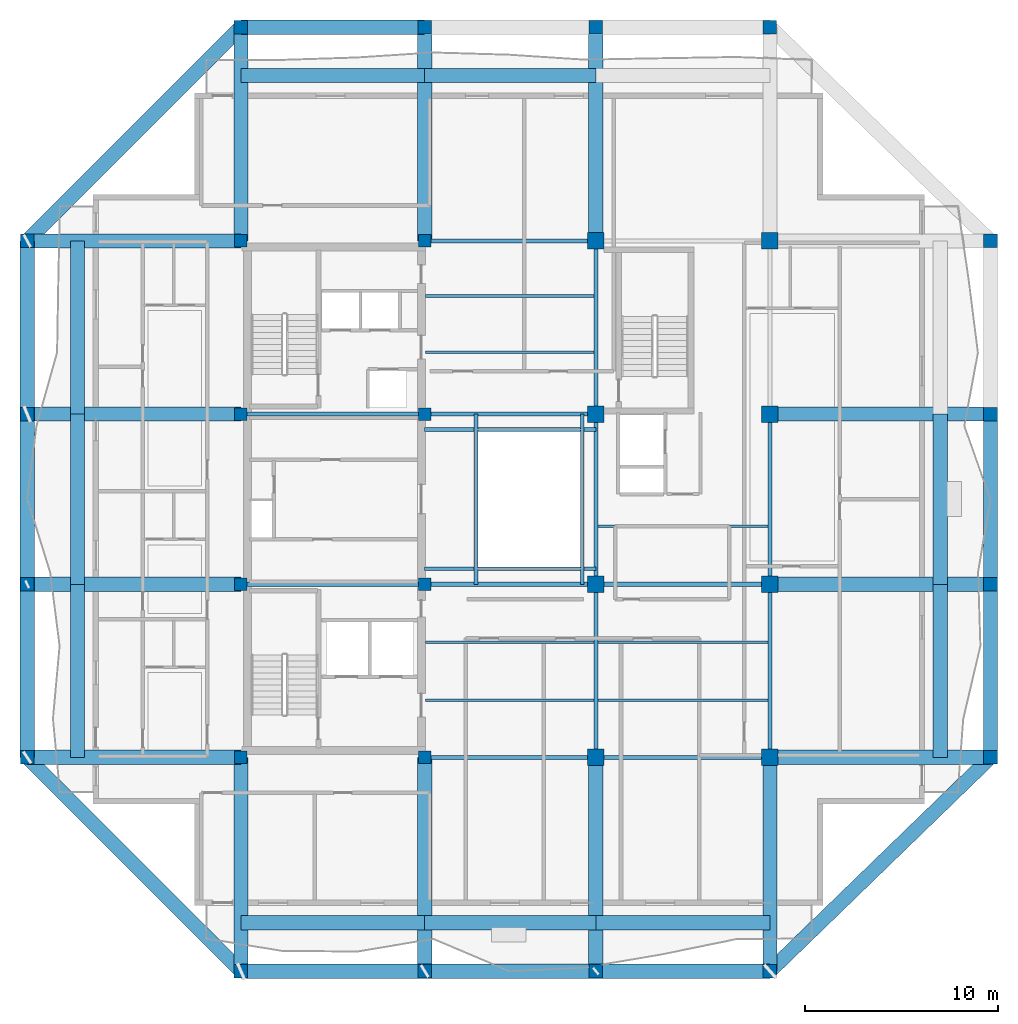
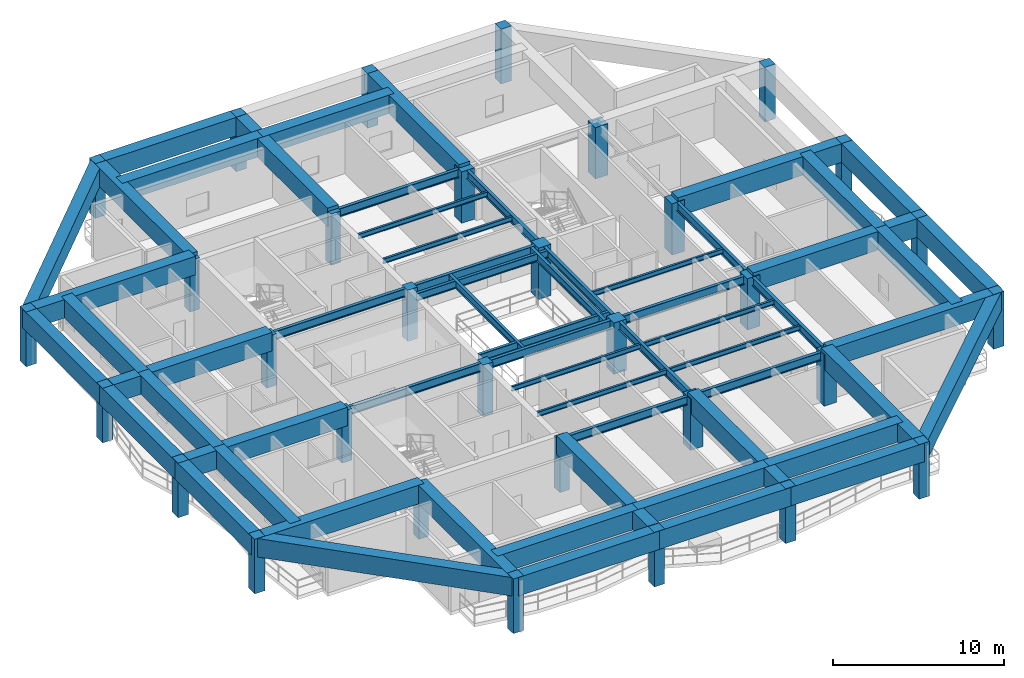
# One storey, part 1 of 11: 60 beams, 32 columns.
"""IFC4 building model written with IfcOpenShell, lengths in metres."""

import ifcopenshell
import ifcopenshell.guid

model = None  # the IFC model being written
_history = None  # IfcOwnerHistory: only IFC2X3 demands one
_inside = {}  # id of a spatial element -> (the spatial element, [elements in it])
_under = {}  # id of a project, library or spatial element -> (it, [spatial elements below it])
_declared = {}  # id of a project -> (the project, [libraries it declares])
_typed = {}  # id of a type object -> (the type object, [elements of that type])
_made_of = {}  # id of a material, layer set ... -> (it, [elements and type objects made of it])


def new_model(schema):
    """Start an empty IFC model of exactly this schema.

    Asked for "IFC4X3", IfcOpenShell would pick the latest addendum, in which some entities
    have other attributes; the version numbers below select the first issue.
    IFC2X3 requires an IfcOwnerHistory on every rooted entity: one is made here for all.
    """
    global model, _history
    if schema == "IFC4X3":
        model = ifcopenshell.file(schema_version=(4, 3, 0, 0))
    else:
        model = ifcopenshell.file(schema=schema)
    _inside.clear()
    _under.clear()
    _declared.clear()
    _typed.clear()
    _made_of.clear()
    _history = None
    if model.schema == "IFC2X3":
        org = make("IfcOrganization", Name="unknown")
        user = make(
            "IfcPersonAndOrganization",
            ThePerson=make("IfcPerson", FamilyName="unknown"),
            TheOrganization=org,
        )
        app = make(
            "IfcApplication",
            ApplicationDeveloper=org,
            Version="unknown",
            ApplicationFullName="unknown",
            ApplicationIdentifier="unknown",
        )
        _history = make(
            "IfcOwnerHistory",
            OwningUser=user,
            OwningApplication=app,
            ChangeAction="ADDED",
            CreationDate=0,
        )
    return model


def make(cls, **values):
    """One entity of the class cls with the attributes given. An attribute that is None is left unset."""
    return model.create_entity(
        cls, **{name: value for name, value in values.items() if value is not None}
    )


def rooted(cls, **values):
    """An entity with a GlobalId (a new one), such as an element, a storey or a relation."""
    return make(cls, GlobalId=ifcopenshell.guid.new(), OwnerHistory=_history, **values)


def si_unit(unit_type, name, prefix=None):
    """IfcSIUnit, for example si_unit("LENGTHUNIT", "METRE", prefix="MILLI")."""
    return make("IfcSIUnit", UnitType=unit_type, Prefix=prefix, Name=name)


def assignment(units):
    """IfcUnitAssignment: the units of a project."""
    return None if units is None else make("IfcUnitAssignment", Units=units)


def point(xyz):
    """IfcCartesianPoint."""
    return None if xyz is None else make("IfcCartesianPoint", Coordinates=xyz)


def direction(xyz):
    """IfcDirection."""
    return None if xyz is None else make("IfcDirection", DirectionRatios=xyz)


def frame(location, z_axis=None, x_axis=None):
    """IfcAxis2Placement3D, a coordinate frame: its origin and axes. An axis left out is left unset."""
    return make(
        "IfcAxis2Placement3D",
        Location=point(location),
        Axis=direction(z_axis),
        RefDirection=direction(x_axis),
    )


def frame_2d(location, x_axis=None):
    """IfcAxis2Placement2D, a coordinate frame in the plane: its origin and x axis."""
    return make(
        "IfcAxis2Placement2D", Location=point(location), RefDirection=direction(x_axis)
    )


def origin():
    """The frame at (0, 0, 0) with its axes left unset."""
    return frame((0.0, 0.0, 0.0))


def origin_2d():
    """The frame at (0, 0) in the plane with its x axis left unset."""
    return frame_2d((0.0, 0.0))


def place(relative_to, where):
    """IfcLocalPlacement: puts the frame where relative to a parent placement (None: the world)."""
    return make(
        "IfcLocalPlacement", PlacementRelTo=relative_to, RelativePlacement=where
    )


def context(
    kind, dimensions, precision=None, world=None, true_north=None, identifier=None
):
    """IfcGeometricRepresentationContext, for example the 3D "Model" context."""
    return make(
        "IfcGeometricRepresentationContext",
        ContextIdentifier=identifier,
        ContextType=kind,
        CoordinateSpaceDimension=dimensions,
        Precision=precision,
        WorldCoordinateSystem=world,
        TrueNorth=true_north,
    )


def subcontext(parent, identifier, kind, view, scale=None):
    """IfcGeometricRepresentationSubContext, for example "Body" below "Model"."""
    return make(
        "IfcGeometricRepresentationSubContext",
        ContextIdentifier=identifier,
        ContextType=kind,
        ParentContext=parent,
        TargetScale=scale,
        TargetView=view,
    )


def project(units=None, contexts=None):
    """IfcProject with its units and contexts."""
    return rooted(
        "IfcProject",
        Name="project",
        RepresentationContexts=contexts,
        UnitsInContext=assignment(units),
    )


def spatial(cls, under=None, at=None, **own):
    """A site, building, storey or space (cls), placed at a placement, below another one or the project."""
    s = rooted(cls, ObjectPlacement=at, **own)
    if under is not None:
        _under.setdefault(under.id(), (under, []))[1].append(s)
    return s


def profile(cls, at=None, kind="AREA", **sizes):
    """A parametric profile (cls). Its sizes go by their IFC names, for example OverallWidth=200.0."""
    return make(cls, ProfileType=kind, Position=at, **sizes)


def rectangle(**sizes):
    """IfcRectangleProfileDef."""
    return profile("IfcRectangleProfileDef", **sizes)


def i_section(**sizes):
    """IfcIShapeProfileDef."""
    return profile("IfcIShapeProfileDef", **sizes)


def extrude(swept, where, along, depth):
    """IfcExtrudedAreaSolid: the profile swept, set in the frame where, extruded along a direction by depth."""
    return make(
        "IfcExtrudedAreaSolid",
        SweptArea=swept,
        Position=where,
        ExtrudedDirection=direction(along),
        Depth=depth,
    )


def shape(context_of_items, identifier, shape_type, items):
    """IfcShapeRepresentation: the items that make up one representation, for example the "Body"."""
    return make(
        "IfcShapeRepresentation",
        ContextOfItems=context_of_items,
        RepresentationIdentifier=identifier,
        RepresentationType=shape_type,
        Items=items,
    )


def material(Name=None, Category=None):
    """IfcMaterial."""
    return make("IfcMaterial", Name=Name, Category=Category)


def material_profile(
    of_material, cross_section, Name=None, Category=None, Priority=None
):
    """IfcMaterialProfile: a cross section and its material."""
    return make(
        "IfcMaterialProfile",
        Name=Name,
        Material=of_material,
        Profile=cross_section,
        Priority=Priority,
        Category=Category,
    )


def profile_set(profiles, Name=None, composite=None):
    """IfcMaterialProfileSet."""
    return make(
        "IfcMaterialProfileSet",
        Name=Name,
        MaterialProfiles=profiles,
        CompositeProfile=composite,
    )


def made_of(thing, what):
    """Note that an element or type object is made of a material, layer set ...; save() writes the relation."""
    if what is not None:
        _made_of.setdefault(what.id(), (what, []))[1].append(thing)
    return thing


def type_object(cls, material=None, **own):
    """A type object (cls), such as IfcWallType, which elements share."""
    return made_of(rooted(cls, **own), material)


def element(
    cls,
    number,
    at=None,
    inside=None,
    cuts=None,
    type_object=None,
    material=None,
    context=None,
    identifier="Body",
    shape_type=None,
    held_by="IfcProductDefinitionShape",
    body=None,
    shapes=None,
    **own,
):
    """One element of the class cls, such as IfcWall. Its Tag is "e" and its number.

    at: its placement. inside: the storey or other place that contains it. cuts: it is an
    opening in that element (IfcRelVoidsElement). A single representation is given by context,
    identifier, shape_type and body (its items); several are given by shapes. held_by: the class
    of the entity that holds the representations. save() writes the other relations.
    """
    e = rooted(cls, Tag="e%d" % number, ObjectPlacement=at, **own)
    if body is not None:
        shapes = [shape(context, identifier, shape_type, body)]
    if shapes is not None:
        e.Representation = make(held_by, Representations=shapes)
    if inside is not None:
        _inside.setdefault(inside.id(), (inside, []))[1].append(e)
    if cuts is not None:
        rooted(
            "IfcRelVoidsElement", RelatingBuildingElement=cuts, RelatedOpeningElement=e
        )
    if type_object is not None:
        _typed.setdefault(type_object.id(), (type_object, []))[1].append(e)
    return made_of(e, material)


def aggregate(whole, parts):
    """IfcRelAggregates: a whole, such as a stair, and the parts it consists of."""
    return rooted("IfcRelAggregates", RelatingObject=whole, RelatedObjects=parts)


def save(model, path):
    """Write the relations noted so far, then the file.

    IfcRelAggregates (storeys below a building ...), IfcRelContainedInSpatialStructure (elements
    in a storey), IfcRelDefinesByType, IfcRelAssociatesMaterial and IfcRelDeclares: one each for
    every whole, place, type object, material and project.
    """
    for whole, parts in _under.values():
        aggregate(whole, parts)
    for where, things in _inside.values():
        rooted(
            "IfcRelContainedInSpatialStructure",
            RelatedElements=things,
            RelatingStructure=where,
        )
    for kind, things in _typed.values():
        rooted("IfcRelDefinesByType", RelatedObjects=things, RelatingType=kind)
    for what, things in _made_of.values():
        rooted("IfcRelAssociatesMaterial", RelatedObjects=things, RelatingMaterial=what)
    for by, libraries in _declared.values():
        rooted("IfcRelDeclares", RelatingContext=by, RelatedDefinitions=libraries)
    model.write(path)


model = new_model("IFC4")

# Units and contexts
model_context = context("Model", 3, precision=1e-05, world=origin(), true_north=direction((0.0, 1.0)))
body_context = subcontext(model_context, "Body", "Model", "MODEL_VIEW")
ifc_project = project(units=[si_unit("LENGTHUNIT", "METRE"), si_unit("AREAUNIT", "SQUARE_METRE"), si_unit("VOLUMEUNIT", "CUBIC_METRE"), si_unit("PLANEANGLEUNIT", "RADIAN"), si_unit("MASSUNIT", "GRAM", prefix="KILO")], contexts=[model_context])

# Site, building, storey
site_placement = place(None, origin())
site = spatial("IfcSite", under=ifc_project, at=site_placement, CompositionType="ELEMENT")
building_placement = place(site_placement, origin())
building = spatial("IfcBuilding", under=site, at=building_placement, Name="Kundavana Baori Tower", CompositionType="ELEMENT")
storey_placement = place(building_placement, frame((0.0, 0.0, 268.699951171875)))
storey = spatial("IfcBuildingStorey", under=building, at=storey_placement, Name="L66", CompositionType="ELEMENT", Elevation=268.699951171875)

# Columns
ifc_material_1 = material(Name="Concrete C50/60", Category="concrete")
ifc_material_profile_1 = material_profile(ifc_material_1, rectangle(XDim=0.699951171875, YDim=0.699951171875, at=origin_2d()), Name="RC PF 700x700")
ifc_profile_set_1 = profile_set([ifc_material_profile_1], Name="Concrete C50/60")
column_type_1 = type_object("IfcColumnType", Name="COL-PF-700", PredefinedType="COLUMN", material=ifc_profile_set_1)
for number, where, z_axis, x_axis, name in (
    (1, (15.449951171875, 4.199951171875, 0.0), (0.0, 0.0, 1.0), (1.0, 0.0, 0.0), "L66 Stone-Clad Perimeter Frame Column PF-S1"),
    (2, (15.449951171875, 53.0, 0.0), (0.0, 0.0, 1.0), (1.0, 0.0, 0.0), "L66 Stone-Clad Perimeter Frame Column PF-N1"),
    (3, (24.949951171875, 4.199951171875, 0.0), (0.0, 0.0, 1.0), (1.0, 0.0, 0.0), "L66 Stone-Clad Perimeter Frame Column PF-S2"),
    (4, (24.949951171875, 53.0, 0.0), (0.0, 0.0, 1.0), (1.0, 0.0, 0.0), "L66 Stone-Clad Perimeter Frame Column PF-N2"),
    (5, (33.800048828125, 4.199951171875, 0.0), (0.0, 0.0, 1.0), (1.0, 0.0, 0.0), "L66 Stone-Clad Perimeter Frame Column PF-S3"),
    (6, (33.800048828125, 53.0, 0.0), (0.0, 0.0, 1.0), (1.0, 0.0, 0.0), "L66 Stone-Clad Perimeter Frame Column PF-N3"),
    (7, (42.800048828125, 4.199951171875, 0.0), (0.0, 0.0, 1.0), (1.0, 0.0, 0.0), "L66 Stone-Clad Perimeter Frame Column PF-S4"),
    (8, (42.800048828125, 53.0, 0.0), (0.0, 0.0, 1.0), (1.0, 0.0, 0.0), "L66 Stone-Clad Perimeter Frame Column PF-N4"),
    (9, (4.39990234375, 15.25, 0.0), (0.0, 0.0, 1.0), (1.0, 0.0, 0.0), "L66 Stone-Clad Perimeter Frame Column PF-W1"),
    (10, (54.199951171875, 15.25, 0.0), (0.0, 0.0, 1.0), (1.0, 0.0, 0.0), "L66 Stone-Clad Perimeter Frame Column PF-E1"),
    (11, (4.39990234375, 24.199951171875, 0.0), (0.0, 0.0, 1.0), (1.0, 0.0, 0.0), "L66 Stone-Clad Perimeter Frame Column PF-W2"),
    (12, (54.199951171875, 24.199951171875, 0.0), (0.0, 0.0, 1.0), (1.0, 0.0, 0.0), "L66 Stone-Clad Perimeter Frame Column PF-E2"),
    (13, (4.39990234375, 33.0, 0.0), (0.0, 0.0, 1.0), (1.0, 0.0, 0.0), "L66 Stone-Clad Perimeter Frame Column PF-W3"),
    (14, (54.199951171875, 33.0, 0.0), (0.0, 0.0, 1.0), (1.0, 0.0, 0.0), "L66 Stone-Clad Perimeter Frame Column PF-E3"),
    (15, (4.39990234375, 41.949951171875, 0.0), (0.0, 0.0, 1.0), (1.0, 0.0, 0.0), "L66 Stone-Clad Perimeter Frame Column PF-W4"),
    (16, (54.199951171875, 41.949951171875, 0.0), (0.0, 0.0, 1.0), (1.0, 0.0, 0.0), "L66 Stone-Clad Perimeter Frame Column PF-E4"),
):
    element("IfcColumn", number, at=place(storey_placement, frame(where, z_axis=z_axis, x_axis=x_axis)), inside=storey, type_object=column_type_1, Name=name, PredefinedType="COLUMN", context=body_context, shape_type="SweptSolid", body=[
        extrude(rectangle(XDim=0.699951171875, YDim=0.699951171875, at=origin_2d()), origin(), (0.0, 0.0, 1.0), 3.900146484375),
    ])
ifc_material_2 = material(Name="Concrete C50/60", Category="concrete")
ifc_material_profile_2 = material_profile(ifc_material_2, rectangle(XDim=0.64990234375, YDim=0.64990234375, at=origin_2d()), Name="RC 650x650")
ifc_profile_set_2 = profile_set([ifc_material_profile_2], Name="Concrete C50/60")
column_type_2 = type_object("IfcColumnType", Name="COL-RC-650", PredefinedType="COLUMN", material=ifc_profile_set_2)
for number, where, z_axis, x_axis, name in (
    (17, (15.449951171875, 15.25, 0.0), (0.0, 0.0, 1.0), (1.0, 0.0, 0.0), "L66 Interior Column IC-3C"),
    (18, (15.449951171875, 24.199951171875, 0.0), (0.0, 0.0, 1.0), (1.0, 0.0, 0.0), "L66 Interior Column IC-3D"),
    (19, (15.449951171875, 33.0, 0.0), (0.0, 0.0, 1.0), (1.0, 0.0, 0.0), "L66 Interior Column IC-3E"),
    (20, (15.449951171875, 41.949951171875, 0.0), (0.0, 0.0, 1.0), (1.0, 0.0, 0.0), "L66 Interior Column IC-3F"),
    (21, (24.949951171875, 15.25, 0.0), (0.0, 0.0, 1.0), (1.0, 0.0, 0.0), "L66 Interior Column IC-4C"),
    (22, (24.949951171875, 24.199951171875, 0.0), (0.0, 0.0, 1.0), (1.0, 0.0, 0.0), "L66 Interior Column IC-4D"),
    (23, (24.949951171875, 33.0, 0.0), (0.0, 0.0, 1.0), (1.0, 0.0, 0.0), "L66 Interior Column IC-4E"),
    (24, (24.949951171875, 41.949951171875, 0.0), (0.0, 0.0, 1.0), (1.0, 0.0, 0.0), "L66 Interior Column IC-4F"),
):
    element("IfcColumn", number, at=place(storey_placement, frame(where, z_axis=z_axis, x_axis=x_axis)), inside=storey, type_object=column_type_2, Name=name, PredefinedType="COLUMN", context=body_context, shape_type="SweptSolid", body=[
        extrude(rectangle(XDim=0.64990234375, YDim=0.64990234375, at=origin_2d()), origin(), (0.0, 0.0, 1.0), 3.66015625),
    ])
ifc_material_3 = material(Name="Concrete C50/60", Category="concrete")
ifc_material_profile_3 = material_profile(ifc_material_3, rectangle(XDim=0.85009765625, YDim=0.85009765625, at=origin_2d()), Name="RC 850x850")
ifc_profile_set_3 = profile_set([ifc_material_profile_3], Name="Concrete C50/60")
column_type_3 = type_object("IfcColumnType", Name="COL-RC-850", PredefinedType="COLUMN", material=ifc_profile_set_3)
for number, where, z_axis, x_axis, name in (
    (25, (33.800048828125, 15.25, 0.0), (0.0, 0.0, 1.0), (1.0, 0.0, 0.0), "L66 Interior Column IC-5C"),
    (26, (33.800048828125, 24.199951171875, 0.0), (0.0, 0.0, 1.0), (1.0, 0.0, 0.0), "L66 Interior Column IC-5D"),
    (27, (33.800048828125, 33.0, 0.0), (0.0, 0.0, 1.0), (1.0, 0.0, 0.0), "L66 Interior Column IC-5E"),
    (28, (33.800048828125, 41.949951171875, 0.0), (0.0, 0.0, 1.0), (1.0, 0.0, 0.0), "L66 Interior Column IC-5F"),
    (29, (42.800048828125, 15.25, 0.0), (0.0, 0.0, 1.0), (1.0, 0.0, 0.0), "L66 Interior Column IC-6C"),
    (30, (42.800048828125, 24.199951171875, 0.0), (0.0, 0.0, 1.0), (1.0, 0.0, 0.0), "L66 Interior Column IC-6D"),
    (31, (42.800048828125, 33.0, 0.0), (0.0, 0.0, 1.0), (1.0, 0.0, 0.0), "L66 Interior Column IC-6E"),
    (32, (42.800048828125, 41.949951171875, 0.0), (0.0, 0.0, 1.0), (1.0, 0.0, 0.0), "L66 Interior Column IC-6F"),
):
    element("IfcColumn", number, at=place(storey_placement, frame(where, z_axis=z_axis, x_axis=x_axis)), inside=storey, type_object=column_type_3, Name=name, PredefinedType="COLUMN", context=body_context, shape_type="SweptSolid", body=[
        extrude(rectangle(XDim=0.85009765625, YDim=0.85009765625, at=origin_2d()), origin(), (0.0, 0.0, 1.0), 3.66015625),
    ])

# Beams
ifc_material_4 = material(Name="Structural Steel S355JR", Category="steel")
ifc_material_profile_4 = material_profile(ifc_material_4, i_section(OverallWidth=0.139892578125, OverallDepth=0.35009765625, WebThickness=0.008056640625, FlangeThickness=0.01416015625, FilletRadius=0.013916015625, at=origin_2d()), Name="ISMB 350")
ifc_profile_set_4 = profile_set([ifc_material_profile_4], Name="Structural Steel S355JR")
beam_type_1 = type_object("IfcBeamType", Name="BM-JST-350", PredefinedType="JOIST", material=ifc_profile_set_4)
for number, where, z_axis, x_axis, name in (
    (33, (24.97998046875, 18.199951171875, 3.485107421875), (1.0, 0.0, 0.0), (0.0, 1.0, 0.0), "L66 Central Bay Composite Floor Joist C1"),
    (34, (24.97998046875, 21.199951171875, 3.485107421875), (1.0, 0.0, 0.0), (0.0, 1.0, 0.0), "L66 Central Bay Composite Floor Joist C2"),
    (35, (24.97998046875, 36.199951171875, 3.485107421875), (1.0, 0.0, 0.0), (0.0, 1.0, 0.0), "L66 Central Bay Composite Floor Joist C3"),
    (36, (24.97998046875, 39.10009765625, 3.485107421875), (1.0, 0.0, 0.0), (0.0, 1.0, 0.0), "L66 Central Bay Composite Floor Joist C4"),
):
    element("IfcBeam", number, at=place(storey_placement, frame(where, z_axis=z_axis, x_axis=x_axis)), inside=storey, type_object=beam_type_1, Name=name, PredefinedType="JOIST", context=body_context, shape_type="SweptSolid", body=[
        extrude(i_section(OverallWidth=0.139892578125, OverallDepth=0.35009765625, WebThickness=0.008056640625, FlangeThickness=0.01416015625, FilletRadius=0.013916015625, at=origin_2d()), origin(), (0.0, 0.0, 1.0), 8.715087890625),
    ])
for number, where, z_axis, x_axis, name in (
    (37, (33.905029296875, 18.199951171875, 3.485107421875), (1.0, 0.0, 0.0), (0.0, 1.0, 0.0), "L66 East Bay Composite Floor Joist E1"),
    (38, (33.905029296875, 21.199951171875, 3.485107421875), (1.0, 0.0, 0.0), (0.0, 1.0, 0.0), "L66 East Bay Composite Floor Joist E2"),
    (39, (33.905029296875, 27.199951171875, 3.485107421875), (1.0, 0.0, 0.0), (0.0, 1.0, 0.0), "L66 East Bay Composite Floor Joist E3"),
):
    element("IfcBeam", number, at=place(storey_placement, frame(where, z_axis=z_axis, x_axis=x_axis)), inside=storey, type_object=beam_type_1, Name=name, PredefinedType="JOIST", context=body_context, shape_type="SweptSolid", body=[
        extrude(i_section(OverallWidth=0.139892578125, OverallDepth=0.35009765625, WebThickness=0.008056640625, FlangeThickness=0.01416015625, FilletRadius=0.013916015625, at=origin_2d()), origin(), (0.0, 0.0, 1.0), 8.7900390625),
    ])
ifc_material_5 = material(Name="Structural Steel S355JR", Category="steel")
ifc_material_profile_5 = material_profile(ifc_material_5, i_section(OverallWidth=0.18994140625, OverallDepth=0.550048828125, WebThickness=0.01123046875, FlangeThickness=0.019287109375, FilletRadius=0.01806640625, at=origin_2d()), Name="ISMB 550")
ifc_profile_set_5 = profile_set([ifc_material_profile_5], Name="Structural Steel S355JR")
beam_type_2 = type_object("IfcBeamType", Name="BM-ST-550", PredefinedType="BEAM", material=ifc_profile_set_5)
for number, where, z_axis, x_axis, name in (
    (40, (27.60009765625, 24.199951171875, 3.385009765625), (0.0, 1.0, 0.0), (-1.0, 0.0, 0.0), "L66 Atrium West Edge Beam"),
    (41, (33.10009765625, 24.199951171875, 3.385009765625), (0.0, 1.0, 0.0), (-1.0, 0.0, 0.0), "L66 Atrium East Edge Beam"),
):
    element("IfcBeam", number, at=place(storey_placement, frame(where, z_axis=z_axis, x_axis=x_axis)), inside=storey, type_object=beam_type_2, Name=name, PredefinedType="BEAM", context=body_context, shape_type="SweptSolid", body=[
        extrude(i_section(OverallWidth=0.18994140625, OverallDepth=0.550048828125, WebThickness=0.01123046875, FlangeThickness=0.019287109375, FilletRadius=0.01806640625, at=origin_2d()), origin(), (0.0, 0.0, 1.0), 8.800048828125),
    ])
for number, where, z_axis, x_axis, name in (
    (42, (24.949951171875, 25.0, 3.385009765625), (1.0, 0.0, 0.0), (0.0, 1.0, 0.0), "L66 Atrium South Edge Beam"),
    (43, (24.949951171875, 32.199951171875, 3.385009765625), (1.0, 0.0, 0.0), (0.0, 1.0, 0.0), "L66 Atrium North Edge Beam"),
):
    element("IfcBeam", number, at=place(storey_placement, frame(where, z_axis=z_axis, x_axis=x_axis)), inside=storey, type_object=beam_type_2, Name=name, PredefinedType="BEAM", context=body_context, shape_type="SweptSolid", body=[
        extrude(i_section(OverallWidth=0.18994140625, OverallDepth=0.550048828125, WebThickness=0.01123046875, FlangeThickness=0.019287109375, FilletRadius=0.01806640625, at=origin_2d()), origin(), (0.0, 0.0, 1.0), 8.85009765625),
    ])
ifc_material_6 = material(Name="Structural Steel S355JR", Category="steel")
ifc_material_profile_6 = material_profile(ifc_material_6, i_section(OverallWidth=0.2099609375, OverallDepth=0.60009765625, WebThickness=0.011962890625, FlangeThickness=0.020751953125, FilletRadius=0.02001953125, at=origin_2d()), Name="ISMB 600")
ifc_profile_set_6 = profile_set([ifc_material_profile_6], Name="Structural Steel S355JR")
beam_type_3 = type_object("IfcBeamType", Name="BM-ST-600", PredefinedType="BEAM", material=ifc_profile_set_6)
beam_1_placement = place(storey_placement, frame((24.949951171875, 15.25, 3.360107421875), z_axis=(1.0, 0.0, 0.0), x_axis=(0.0, 1.0, 0.0)))
element("IfcBeam", 44, at=beam_1_placement, inside=storey, type_object=beam_type_3, Name="L66 Primary Grid Girder GX-1-2", PredefinedType="BEAM", context=body_context, shape_type="SweptSolid", body=[
    extrude(i_section(OverallWidth=0.2099609375, OverallDepth=0.60009765625, WebThickness=0.011962890625, FlangeThickness=0.020751953125, FilletRadius=0.02001953125, at=origin_2d()), origin(), (0.0, 0.0, 1.0), 8.85009765625),
])
beam_2_placement = place(storey_placement, frame((33.800048828125, 15.25, 3.360107421875), z_axis=(1.0, 0.0, 0.0), x_axis=(0.0, 1.0, 0.0)))
element("IfcBeam", 45, at=beam_2_placement, inside=storey, type_object=beam_type_3, Name="L66 Primary Grid Girder GX-1-3", PredefinedType="BEAM", context=body_context, shape_type="SweptSolid", body=[
    extrude(i_section(OverallWidth=0.2099609375, OverallDepth=0.60009765625, WebThickness=0.011962890625, FlangeThickness=0.020751953125, FilletRadius=0.02001953125, at=origin_2d()), origin(), (0.0, 0.0, 1.0), 9.0),
])
beam_3_placement = place(storey_placement, frame((15.449951171875, 24.199951171875, 3.360107421875), z_axis=(1.0, 0.0, 0.0), x_axis=(0.0, 1.0, 0.0)))
element("IfcBeam", 46, at=beam_3_placement, inside=storey, type_object=beam_type_3, Name="L66 Primary Grid Girder GX-2-1", PredefinedType="BEAM", context=body_context, shape_type="SweptSolid", body=[
    extrude(i_section(OverallWidth=0.2099609375, OverallDepth=0.60009765625, WebThickness=0.011962890625, FlangeThickness=0.020751953125, FilletRadius=0.02001953125, at=origin_2d()), origin(), (0.0, 0.0, 1.0), 9.5),
])
beam_4_placement = place(storey_placement, frame((24.949951171875, 24.199951171875, 3.360107421875), z_axis=(1.0, 0.0, 0.0), x_axis=(0.0, 1.0, 0.0)))
element("IfcBeam", 47, at=beam_4_placement, inside=storey, type_object=beam_type_3, Name="L66 Primary Grid Girder GX-2-2", PredefinedType="BEAM", context=body_context, shape_type="SweptSolid", body=[
    extrude(i_section(OverallWidth=0.2099609375, OverallDepth=0.60009765625, WebThickness=0.011962890625, FlangeThickness=0.020751953125, FilletRadius=0.02001953125, at=origin_2d()), origin(), (0.0, 0.0, 1.0), 8.85009765625),
])
beam_5_placement = place(storey_placement, frame((33.800048828125, 24.199951171875, 3.360107421875), z_axis=(1.0, 0.0, 0.0), x_axis=(0.0, 1.0, 0.0)))
element("IfcBeam", 48, at=beam_5_placement, inside=storey, type_object=beam_type_3, Name="L66 Primary Grid Girder GX-2-3", PredefinedType="BEAM", context=body_context, shape_type="SweptSolid", body=[
    extrude(i_section(OverallWidth=0.2099609375, OverallDepth=0.60009765625, WebThickness=0.011962890625, FlangeThickness=0.020751953125, FilletRadius=0.02001953125, at=origin_2d()), origin(), (0.0, 0.0, 1.0), 9.0),
])
beam_6_placement = place(storey_placement, frame((15.449951171875, 33.0, 3.360107421875), z_axis=(1.0, 0.0, 0.0), x_axis=(0.0, 1.0, 0.0)))
element("IfcBeam", 49, at=beam_6_placement, inside=storey, type_object=beam_type_3, Name="L66 Primary Grid Girder GX-3-1", PredefinedType="BEAM", context=body_context, shape_type="SweptSolid", body=[
    extrude(i_section(OverallWidth=0.2099609375, OverallDepth=0.60009765625, WebThickness=0.011962890625, FlangeThickness=0.020751953125, FilletRadius=0.02001953125, at=origin_2d()), origin(), (0.0, 0.0, 1.0), 9.5),
])
for number, where, z_axis, x_axis, name in (
    (50, (24.949951171875, 33.0, 3.360107421875), (1.0, 0.0, 0.0), (0.0, 1.0, 0.0), "L66 Primary Grid Girder GX-3-2"),
    (51, (24.949951171875, 41.949951171875, 3.360107421875), (1.0, 0.0, 0.0), (0.0, 1.0, 0.0), "L66 Primary Grid Girder GX-4-2"),
):
    element("IfcBeam", number, at=place(storey_placement, frame(where, z_axis=z_axis, x_axis=x_axis)), inside=storey, type_object=beam_type_3, Name=name, PredefinedType="BEAM", context=body_context, shape_type="SweptSolid", body=[
        extrude(i_section(OverallWidth=0.2099609375, OverallDepth=0.60009765625, WebThickness=0.011962890625, FlangeThickness=0.020751953125, FilletRadius=0.02001953125, at=origin_2d()), origin(), (0.0, 0.0, 1.0), 8.85009765625),
    ])
beam_7_placement = place(storey_placement, frame((33.800048828125, 15.25, 3.360107421875), z_axis=(0.0, 1.0, 0.0), x_axis=(-1.0, 0.0, 0.0)))
element("IfcBeam", 52, at=beam_7_placement, inside=storey, type_object=beam_type_3, Name="L66 Primary Grid Girder GY-3-1", PredefinedType="BEAM", context=body_context, shape_type="SweptSolid", body=[
    extrude(i_section(OverallWidth=0.2099609375, OverallDepth=0.60009765625, WebThickness=0.011962890625, FlangeThickness=0.020751953125, FilletRadius=0.02001953125, at=origin_2d()), origin(), (0.0, 0.0, 1.0), 8.949951171875),
])
beam_8_placement = place(storey_placement, frame((33.800048828125, 24.199951171875, 3.360107421875), z_axis=(0.0, 1.0, 0.0), x_axis=(-1.0, 0.0, 0.0)))
element("IfcBeam", 53, at=beam_8_placement, inside=storey, type_object=beam_type_3, Name="L66 Primary Grid Girder GY-3-2", PredefinedType="BEAM", context=body_context, shape_type="SweptSolid", body=[
    extrude(i_section(OverallWidth=0.2099609375, OverallDepth=0.60009765625, WebThickness=0.011962890625, FlangeThickness=0.020751953125, FilletRadius=0.02001953125, at=origin_2d()), origin(), (0.0, 0.0, 1.0), 8.800048828125),
])
for number, where, z_axis, x_axis, name in (
    (54, (33.800048828125, 33.0, 3.360107421875), (0.0, 1.0, 0.0), (-1.0, 0.0, 0.0), "L66 Primary Grid Girder GY-3-3"),
    (55, (42.800048828125, 15.25, 3.360107421875), (0.0, 1.0, 0.0), (-1.0, 0.0, 0.0), "L66 Primary Grid Girder GY-4-1"),
):
    element("IfcBeam", number, at=place(storey_placement, frame(where, z_axis=z_axis, x_axis=x_axis)), inside=storey, type_object=beam_type_3, Name=name, PredefinedType="BEAM", context=body_context, shape_type="SweptSolid", body=[
        extrude(i_section(OverallWidth=0.2099609375, OverallDepth=0.60009765625, WebThickness=0.011962890625, FlangeThickness=0.020751953125, FilletRadius=0.02001953125, at=origin_2d()), origin(), (0.0, 0.0, 1.0), 8.949951171875),
    ])
beam_9_placement = place(storey_placement, frame((42.800048828125, 24.199951171875, 3.360107421875), z_axis=(0.0, 1.0, 0.0), x_axis=(-1.0, 0.0, 0.0)))
element("IfcBeam", 56, at=beam_9_placement, inside=storey, type_object=beam_type_3, Name="L66 Primary Grid Girder GY-4-2", PredefinedType="BEAM", context=body_context, shape_type="SweptSolid", body=[
    extrude(i_section(OverallWidth=0.2099609375, OverallDepth=0.60009765625, WebThickness=0.011962890625, FlangeThickness=0.020751953125, FilletRadius=0.02001953125, at=origin_2d()), origin(), (0.0, 0.0, 1.0), 8.800048828125),
])
ifc_material_7 = material(Name="Concrete C50/60", Category="concrete")
ifc_material_profile_7 = material_profile(ifc_material_7, rectangle(XDim=0.739990234375, YDim=1.320068359375, at=origin_2d()), Name="BM-TG-5")
ifc_profile_set_7 = profile_set([ifc_material_profile_7], Name="Concrete C50/60")
beam_type_4 = type_object("IfcBeamType", Name="BM-TG-5", PredefinedType="USERDEFINED", material=ifc_profile_set_7)
beam_10_placement = place(storey_placement, frame((15.449951171875, 4.199951171875, 3.239990234375), z_axis=(1.0, 0.0, 0.0), x_axis=(0.0, 1.0, 0.0)))
element("IfcBeam", 57, at=beam_10_placement, inside=storey, type_object=beam_type_4, Name="L66 Perimeter Frame Ring Beam S1", ObjectType="TRANSFER GIRDER", PredefinedType="USERDEFINED", context=body_context, shape_type="SweptSolid", body=[
    extrude(rectangle(XDim=0.739990234375, YDim=1.320068359375, at=origin_2d()), origin(), (0.0, 0.0, 1.0), 9.5),
])
beam_11_placement = place(storey_placement, frame((24.949951171875, 4.199951171875, 3.239990234375), z_axis=(1.0, 0.0, 0.0), x_axis=(0.0, 1.0, 0.0)))
element("IfcBeam", 58, at=beam_11_placement, inside=storey, type_object=beam_type_4, Name="L66 Perimeter Frame Ring Beam S2", ObjectType="TRANSFER GIRDER", PredefinedType="USERDEFINED", context=body_context, shape_type="SweptSolid", body=[
    extrude(rectangle(XDim=0.739990234375, YDim=1.320068359375, at=origin_2d()), origin(), (0.0, 0.0, 1.0), 8.85009765625),
])
beam_12_placement = place(storey_placement, frame((33.800048828125, 4.199951171875, 3.239990234375), z_axis=(1.0, 0.0, 0.0), x_axis=(0.0, 1.0, 0.0)))
element("IfcBeam", 59, at=beam_12_placement, inside=storey, type_object=beam_type_4, Name="L66 Perimeter Frame Ring Beam S3", ObjectType="TRANSFER GIRDER", PredefinedType="USERDEFINED", context=body_context, shape_type="SweptSolid", body=[
    extrude(rectangle(XDim=0.739990234375, YDim=1.320068359375, at=origin_2d()), origin(), (0.0, 0.0, 1.0), 9.0),
])
beam_13_placement = place(storey_placement, frame((15.449951171875, 53.0, 3.239990234375), z_axis=(1.0, 0.0, 0.0), x_axis=(0.0, 1.0, 0.0)))
element("IfcBeam", 60, at=beam_13_placement, inside=storey, type_object=beam_type_4, Name="L66 Perimeter Frame Ring Beam N1", ObjectType="TRANSFER GIRDER", PredefinedType="USERDEFINED", context=body_context, shape_type="SweptSolid", body=[
    extrude(rectangle(XDim=0.739990234375, YDim=1.320068359375, at=origin_2d()), origin(), (0.0, 0.0, 1.0), 9.5),
])
beam_14_placement = place(storey_placement, frame((4.39990234375, 15.25, 3.239990234375), z_axis=(0.0, 1.0, 0.0), x_axis=(-1.0, 0.0, 0.0)))
element("IfcBeam", 61, at=beam_14_placement, inside=storey, type_object=beam_type_4, Name="L66 Perimeter Frame Ring Beam W1", ObjectType="TRANSFER GIRDER", PredefinedType="USERDEFINED", context=body_context, shape_type="SweptSolid", body=[
    extrude(rectangle(XDim=0.739990234375, YDim=1.320068359375, at=origin_2d()), origin(), (0.0, 0.0, 1.0), 8.949951171875),
])
beam_15_placement = place(storey_placement, frame((4.39990234375, 24.199951171875, 3.239990234375), z_axis=(0.0, 1.0, 0.0), x_axis=(-1.0, 0.0, 0.0)))
element("IfcBeam", 62, at=beam_15_placement, inside=storey, type_object=beam_type_4, Name="L66 Perimeter Frame Ring Beam W2", ObjectType="TRANSFER GIRDER", PredefinedType="USERDEFINED", context=body_context, shape_type="SweptSolid", body=[
    extrude(rectangle(XDim=0.739990234375, YDim=1.320068359375, at=origin_2d()), origin(), (0.0, 0.0, 1.0), 8.800048828125),
])
for number, where, z_axis, x_axis, name in (
    (63, (4.39990234375, 33.0, 3.239990234375), (0.0, 1.0, 0.0), (-1.0, 0.0, 0.0), "L66 Perimeter Frame Ring Beam W3"),
    (64, (54.199951171875, 15.25, 3.239990234375), (0.0, 1.0, 0.0), (-1.0, 0.0, 0.0), "L66 Perimeter Frame Ring Beam E1"),
):
    element("IfcBeam", number, at=place(storey_placement, frame(where, z_axis=z_axis, x_axis=x_axis)), inside=storey, type_object=beam_type_4, Name=name, ObjectType="TRANSFER GIRDER", PredefinedType="USERDEFINED", context=body_context, shape_type="SweptSolid", body=[
        extrude(rectangle(XDim=0.739990234375, YDim=1.320068359375, at=origin_2d()), origin(), (0.0, 0.0, 1.0), 8.949951171875),
    ])
beam_16_placement = place(storey_placement, frame((54.199951171875, 24.199951171875, 3.239990234375), z_axis=(0.0, 1.0, 0.0), x_axis=(-1.0, 0.0, 0.0)))
element("IfcBeam", 65, at=beam_16_placement, inside=storey, type_object=beam_type_4, Name="L66 Perimeter Frame Ring Beam E2", ObjectType="TRANSFER GIRDER", PredefinedType="USERDEFINED", context=body_context, shape_type="SweptSolid", body=[
    extrude(rectangle(XDim=0.739990234375, YDim=1.320068359375, at=origin_2d()), origin(), (0.0, 0.0, 1.0), 8.800048828125),
])
beam_17_placement = place(storey_placement, frame((15.449951171875, 4.199951171875, 3.239990234375), z_axis=(-0.707106781187, 0.707106781187, 0.0), x_axis=(-0.707106781187, -0.707106781187, 0.0)))
element("IfcBeam", 66, at=beam_17_placement, inside=storey, type_object=beam_type_4, Name="L66 Notched Corner Perimeter Beam SW", ObjectType="TRANSFER GIRDER", PredefinedType="USERDEFINED", context=body_context, shape_type="SweptSolid", body=[
    extrude(rectangle(XDim=0.739990234375, YDim=1.320068359375, at=origin_2d()), origin(), (0.0, 0.0, 1.0), 15.627197265625),
])
beam_18_placement = place(storey_placement, frame((42.800048828125, 4.199951171875, 3.239990234375), z_axis=(0.718038944492, 0.696002926857, 0.0), x_axis=(-0.696002926857, 0.718038944492, 0.0)))
element("IfcBeam", 67, at=beam_18_placement, inside=storey, type_object=beam_type_4, Name="L66 Notched Corner Perimeter Beam SE", ObjectType="TRANSFER GIRDER", PredefinedType="USERDEFINED", context=body_context, shape_type="SweptSolid", body=[
    extrude(rectangle(XDim=0.739990234375, YDim=1.320068359375, at=origin_2d()), origin(), (0.0, 0.0, 1.0), 15.87646484375),
])
beam_19_placement = place(storey_placement, frame((15.449951171875, 53.0, 3.239990234375), z_axis=(-0.707106781187, -0.707106781187, 0.0), x_axis=(0.707106781187, -0.707106781187, 0.0)))
element("IfcBeam", 68, at=beam_19_placement, inside=storey, type_object=beam_type_4, Name="L66 Notched Corner Perimeter Beam NW", ObjectType="TRANSFER GIRDER", PredefinedType="USERDEFINED", context=body_context, shape_type="SweptSolid", body=[
    extrude(rectangle(XDim=0.739990234375, YDim=1.320068359375, at=origin_2d()), origin(), (0.0, 0.0, 1.0), 15.627197265625),
])
for number, where, z_axis, x_axis, name in (
    (69, (15.449951171875, 15.25, 3.239990234375), (0.0, -1.0, 0.0), (1.0, 0.0, 0.0), "L66 South Radial Transfer Girder S1"),
    (70, (15.449951171875, 41.949951171875, 3.239990234375), (0.0, 1.0, 0.0), (-1.0, 0.0, 0.0), "L66 North Radial Transfer Girder N1"),
    (71, (24.949951171875, 15.25, 3.239990234375), (0.0, -1.0, 0.0), (1.0, 0.0, 0.0), "L66 South Radial Transfer Girder S2"),
    (72, (24.949951171875, 41.949951171875, 3.239990234375), (0.0, 1.0, 0.0), (-1.0, 0.0, 0.0), "L66 North Radial Transfer Girder N2"),
    (73, (33.800048828125, 15.25, 3.239990234375), (0.0, -1.0, 0.0), (1.0, 0.0, 0.0), "L66 South Radial Transfer Girder S3"),
    (74, (33.800048828125, 41.949951171875, 3.239990234375), (0.0, 1.0, 0.0), (-1.0, 0.0, 0.0), "L66 North Radial Transfer Girder N3"),
    (75, (42.800048828125, 15.25, 3.239990234375), (0.0, -1.0, 0.0), (1.0, 0.0, 0.0), "L66 South Radial Transfer Girder S4"),
    (76, (15.449951171875, 15.25, 3.239990234375), (-1.0, 0.0, 0.0), (0.0, -1.0, 0.0), "L66 West Radial Transfer Girder W1"),
):
    element("IfcBeam", number, at=place(storey_placement, frame(where, z_axis=z_axis, x_axis=x_axis)), inside=storey, type_object=beam_type_4, Name=name, ObjectType="TRANSFER GIRDER", PredefinedType="USERDEFINED", context=body_context, shape_type="SweptSolid", body=[
        extrude(rectangle(XDim=0.739990234375, YDim=1.320068359375, at=origin_2d()), origin(), (0.0, 0.0, 1.0), 11.050048828125),
    ])
beam_20_placement = place(storey_placement, frame((42.800048828125, 15.25, 3.239990234375), z_axis=(1.0, 0.0, 0.0), x_axis=(0.0, 1.0, 0.0)))
element("IfcBeam", 77, at=beam_20_placement, inside=storey, type_object=beam_type_4, Name="L66 East Radial Transfer Girder E1", ObjectType="TRANSFER GIRDER", PredefinedType="USERDEFINED", context=body_context, shape_type="SweptSolid", body=[
    extrude(rectangle(XDim=0.739990234375, YDim=1.320068359375, at=origin_2d()), origin(), (0.0, 0.0, 1.0), 11.39990234375),
])
beam_21_placement = place(storey_placement, frame((15.449951171875, 24.199951171875, 3.239990234375), z_axis=(-1.0, 0.0, 0.0), x_axis=(0.0, -1.0, 0.0)))
element("IfcBeam", 78, at=beam_21_placement, inside=storey, type_object=beam_type_4, Name="L66 West Radial Transfer Girder W2", ObjectType="TRANSFER GIRDER", PredefinedType="USERDEFINED", context=body_context, shape_type="SweptSolid", body=[
    extrude(rectangle(XDim=0.739990234375, YDim=1.320068359375, at=origin_2d()), origin(), (0.0, 0.0, 1.0), 11.050048828125),
])
beam_22_placement = place(storey_placement, frame((42.800048828125, 24.199951171875, 3.239990234375), z_axis=(1.0, 0.0, 0.0), x_axis=(0.0, 1.0, 0.0)))
element("IfcBeam", 79, at=beam_22_placement, inside=storey, type_object=beam_type_4, Name="L66 East Radial Transfer Girder E2", ObjectType="TRANSFER GIRDER", PredefinedType="USERDEFINED", context=body_context, shape_type="SweptSolid", body=[
    extrude(rectangle(XDim=0.739990234375, YDim=1.320068359375, at=origin_2d()), origin(), (0.0, 0.0, 1.0), 11.39990234375),
])
beam_23_placement = place(storey_placement, frame((15.449951171875, 33.0, 3.239990234375), z_axis=(-1.0, 0.0, 0.0), x_axis=(0.0, -1.0, 0.0)))
element("IfcBeam", 80, at=beam_23_placement, inside=storey, type_object=beam_type_4, Name="L66 West Radial Transfer Girder W3", ObjectType="TRANSFER GIRDER", PredefinedType="USERDEFINED", context=body_context, shape_type="SweptSolid", body=[
    extrude(rectangle(XDim=0.739990234375, YDim=1.320068359375, at=origin_2d()), origin(), (0.0, 0.0, 1.0), 11.050048828125),
])
beam_24_placement = place(storey_placement, frame((42.800048828125, 33.0, 3.239990234375), z_axis=(1.0, 0.0, 0.0), x_axis=(0.0, 1.0, 0.0)))
element("IfcBeam", 81, at=beam_24_placement, inside=storey, type_object=beam_type_4, Name="L66 East Radial Transfer Girder E3", ObjectType="TRANSFER GIRDER", PredefinedType="USERDEFINED", context=body_context, shape_type="SweptSolid", body=[
    extrude(rectangle(XDim=0.739990234375, YDim=1.320068359375, at=origin_2d()), origin(), (0.0, 0.0, 1.0), 11.39990234375),
])
beam_25_placement = place(storey_placement, frame((15.449951171875, 41.949951171875, 3.239990234375), z_axis=(-1.0, 0.0, 0.0), x_axis=(0.0, -1.0, 0.0)))
element("IfcBeam", 82, at=beam_25_placement, inside=storey, type_object=beam_type_4, Name="L66 West Radial Transfer Girder W4", ObjectType="TRANSFER GIRDER", PredefinedType="USERDEFINED", context=body_context, shape_type="SweptSolid", body=[
    extrude(rectangle(XDim=0.739990234375, YDim=1.320068359375, at=origin_2d()), origin(), (0.0, 0.0, 1.0), 11.050048828125),
])
beam_26_placement = place(storey_placement, frame((15.449951171875, 6.699951171875, 3.239990234375), z_axis=(1.0, 0.0, 0.0), x_axis=(0.0, 1.0, 0.0)))
element("IfcBeam", 83, at=beam_26_placement, inside=storey, type_object=beam_type_4, Name="L66 Setback Collar Transfer Girder S1", ObjectType="TRANSFER GIRDER", PredefinedType="USERDEFINED", context=body_context, shape_type="SweptSolid", body=[
    extrude(rectangle(XDim=0.739990234375, YDim=1.320068359375, at=origin_2d()), origin(), (0.0, 0.0, 1.0), 9.5),
])
beam_27_placement = place(storey_placement, frame((24.949951171875, 6.699951171875, 3.239990234375), z_axis=(1.0, 0.0, 0.0), x_axis=(0.0, 1.0, 0.0)))
element("IfcBeam", 84, at=beam_27_placement, inside=storey, type_object=beam_type_4, Name="L66 Setback Collar Transfer Girder S2", ObjectType="TRANSFER GIRDER", PredefinedType="USERDEFINED", context=body_context, shape_type="SweptSolid", body=[
    extrude(rectangle(XDim=0.739990234375, YDim=1.320068359375, at=origin_2d()), origin(), (0.0, 0.0, 1.0), 8.85009765625),
])
beam_28_placement = place(storey_placement, frame((33.800048828125, 6.699951171875, 3.239990234375), z_axis=(1.0, 0.0, 0.0), x_axis=(0.0, 1.0, 0.0)))
element("IfcBeam", 85, at=beam_28_placement, inside=storey, type_object=beam_type_4, Name="L66 Setback Collar Transfer Girder S3", ObjectType="TRANSFER GIRDER", PredefinedType="USERDEFINED", context=body_context, shape_type="SweptSolid", body=[
    extrude(rectangle(XDim=0.739990234375, YDim=1.320068359375, at=origin_2d()), origin(), (0.0, 0.0, 1.0), 9.0),
])
beam_29_placement = place(storey_placement, frame((15.449951171875, 50.5, 3.239990234375), z_axis=(1.0, 0.0, 0.0), x_axis=(0.0, 1.0, 0.0)))
element("IfcBeam", 86, at=beam_29_placement, inside=storey, type_object=beam_type_4, Name="L66 Setback Collar Transfer Girder N1", ObjectType="TRANSFER GIRDER", PredefinedType="USERDEFINED", context=body_context, shape_type="SweptSolid", body=[
    extrude(rectangle(XDim=0.739990234375, YDim=1.320068359375, at=origin_2d()), origin(), (0.0, 0.0, 1.0), 9.5),
])
beam_30_placement = place(storey_placement, frame((24.949951171875, 50.5, 3.239990234375), z_axis=(1.0, 0.0, 0.0), x_axis=(0.0, 1.0, 0.0)))
element("IfcBeam", 87, at=beam_30_placement, inside=storey, type_object=beam_type_4, Name="L66 Setback Collar Transfer Girder N2", ObjectType="TRANSFER GIRDER", PredefinedType="USERDEFINED", context=body_context, shape_type="SweptSolid", body=[
    extrude(rectangle(XDim=0.739990234375, YDim=1.320068359375, at=origin_2d()), origin(), (0.0, 0.0, 1.0), 8.85009765625),
])
beam_31_placement = place(storey_placement, frame((7.0, 15.25, 3.239990234375), z_axis=(0.0, 1.0, 0.0), x_axis=(-1.0, 0.0, 0.0)))
element("IfcBeam", 88, at=beam_31_placement, inside=storey, type_object=beam_type_4, Name="L66 Setback Collar Transfer Girder W1", ObjectType="TRANSFER GIRDER", PredefinedType="USERDEFINED", context=body_context, shape_type="SweptSolid", body=[
    extrude(rectangle(XDim=0.739990234375, YDim=1.320068359375, at=origin_2d()), origin(), (0.0, 0.0, 1.0), 8.949951171875),
])
beam_32_placement = place(storey_placement, frame((7.0, 24.199951171875, 3.239990234375), z_axis=(0.0, 1.0, 0.0), x_axis=(-1.0, 0.0, 0.0)))
element("IfcBeam", 89, at=beam_32_placement, inside=storey, type_object=beam_type_4, Name="L66 Setback Collar Transfer Girder W2", ObjectType="TRANSFER GIRDER", PredefinedType="USERDEFINED", context=body_context, shape_type="SweptSolid", body=[
    extrude(rectangle(XDim=0.739990234375, YDim=1.320068359375, at=origin_2d()), origin(), (0.0, 0.0, 1.0), 8.800048828125),
])
for number, where, z_axis, x_axis, name in (
    (90, (7.0, 33.0, 3.239990234375), (0.0, 1.0, 0.0), (-1.0, 0.0, 0.0), "L66 Setback Collar Transfer Girder W3"),
    (91, (51.60009765625, 15.25, 3.239990234375), (0.0, 1.0, 0.0), (-1.0, 0.0, 0.0), "L66 Setback Collar Transfer Girder E1"),
):
    element("IfcBeam", number, at=place(storey_placement, frame(where, z_axis=z_axis, x_axis=x_axis)), inside=storey, type_object=beam_type_4, Name=name, ObjectType="TRANSFER GIRDER", PredefinedType="USERDEFINED", context=body_context, shape_type="SweptSolid", body=[
        extrude(rectangle(XDim=0.739990234375, YDim=1.320068359375, at=origin_2d()), origin(), (0.0, 0.0, 1.0), 8.949951171875),
    ])
beam_33_placement = place(storey_placement, frame((51.60009765625, 24.199951171875, 3.239990234375), z_axis=(0.0, 1.0, 0.0), x_axis=(-1.0, 0.0, 0.0)))
element("IfcBeam", 92, at=beam_33_placement, inside=storey, type_object=beam_type_4, Name="L66 Setback Collar Transfer Girder E2", ObjectType="TRANSFER GIRDER", PredefinedType="USERDEFINED", context=body_context, shape_type="SweptSolid", body=[
    extrude(rectangle(XDim=0.739990234375, YDim=1.320068359375, at=origin_2d()), origin(), (0.0, 0.0, 1.0), 8.800048828125),
])

save(model, "model.ifc")
